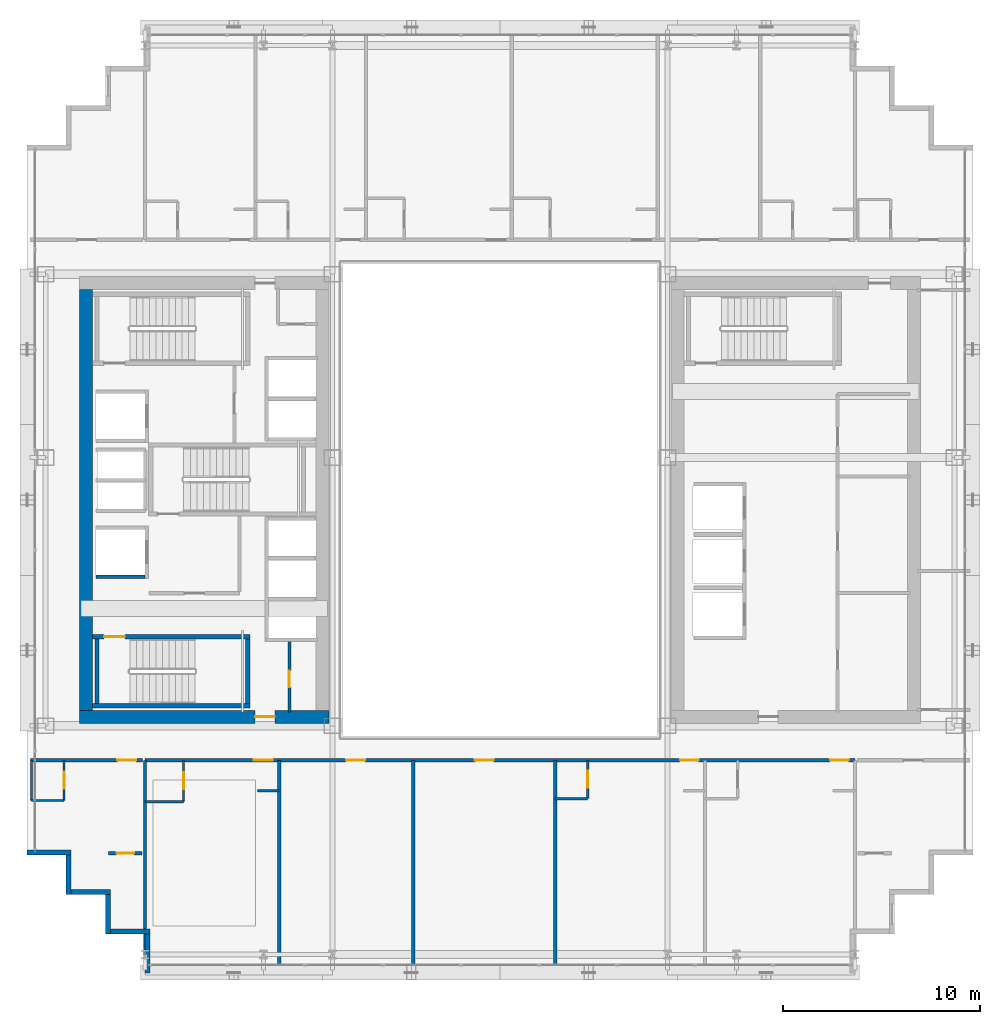
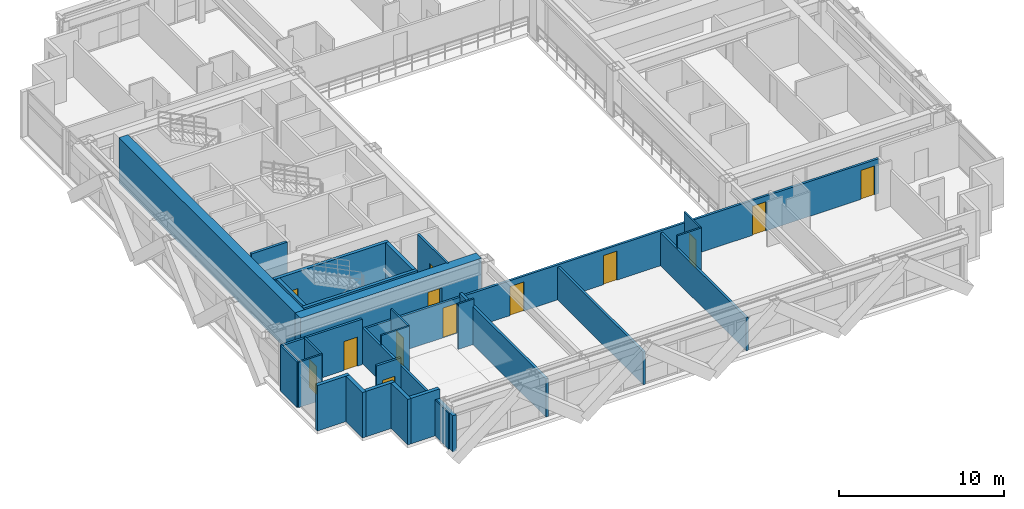
# One storey, part 27 of 35: 29 walls, 13 doors, 13 openings.
"""IFC4 building model written with IfcOpenShell, lengths in metres."""

from ifc_helpers import new_model, si_unit, direction, frame, frame_2d, origin, place, context, subcontext, project, spatial, rectangle, extrude, source, transform, mapped, material, layer, layer_set, type_object, element, fill, save


model = new_model("IFC4")

# Units and contexts
model_context = context("Model", 3, precision=1e-05, world=origin(), true_north=direction((0.0, 1.0)))
body_context = subcontext(model_context, "Body", "Model", "MODEL_VIEW")
ifc_project = project(units=[si_unit("LENGTHUNIT", "METRE"), si_unit("AREAUNIT", "SQUARE_METRE"), si_unit("VOLUMEUNIT", "CUBIC_METRE"), si_unit("PLANEANGLEUNIT", "RADIAN"), si_unit("MASSUNIT", "GRAM", prefix="KILO")], contexts=[model_context])

# Site, building, storey
site_placement = place(None, origin())
site = spatial("IfcSite", under=ifc_project, at=site_placement, CompositionType="ELEMENT")
building_placement = place(site_placement, origin())
building = spatial("IfcBuilding", under=site, at=building_placement, Name="Ocotamira Hotel", CompositionType="ELEMENT")
storey_placement = place(building_placement, frame((0.0, 0.0, 140.39990234375)))
storey = spatial("IfcBuildingStorey", under=building, at=storey_placement, Name="L35", CompositionType="ELEMENT", Elevation=140.39990234375)

# Wall, opening, door
ifc_material_1 = material(Name="Concrete C60/75", Category="concrete")
ifc_layer_1 = layer(ifc_material_1, 0.64990234375)
ifc_layer_set_1 = layer_set([ifc_layer_1], Name="Concrete C60/75")
wall_type_1 = type_object("IfcWallType", Name="WL-CORE-650", PredefinedType="SHEAR", material=ifc_layer_set_1)
wall_1_placement = place(storey_placement, frame((10.675048828125, 15.0, 0.0), z_axis=(0.0, 0.0, 1.0), x_axis=(1.0, 0.0, 0.0)))
wall_1 = element("IfcWall", 1, at=wall_1_placement, inside=storey, type_object=wall_type_1, Name="L35 Shear Core Wall WCORE-S", PredefinedType="SHEAR", context=body_context, shape_type="SweptSolid", body=[
    extrude(rectangle(XDim=12.64990234375, YDim=0.64990234375, at=frame_2d((6.324951171875, 0.0))), origin(), (0.0, 0.0, 1.0), 3.360107421875),
])
opening_1_placement = place(wall_1_placement, frame((8.905029296875, 0.0, 0.0)))
opening_1 = element("IfcOpeningElement", 2, at=opening_1_placement, cuts=wall_1, Name="Opening D-FR2", PredefinedType="OPENING", context=body_context, shape_type="SweptSolid", body=[
    extrude(rectangle(XDim=1.0, YDim=2.14990234375, at=frame_2d((0.5, 1.074951171875))), frame((0.0, 0.3349609375, 0.0), z_axis=(0.0, -1.0, 0.0), x_axis=(1.0, 0.0, 0.0)), (0.0, 0.0, 1.0), 0.669921875),
])
ifc_material_2 = material(Name="Fire-rated acoustic timber-veneer door", Category="wood")
door_type_1 = type_object("IfcDoorType", Name="DR-FIRE-1000", OperationType="NOTDEFINED", PredefinedType="DOOR", material=ifc_material_2)
shared_shape_1 = source(origin(), body_context, "Body", "SweptSolid", [
    extrude(rectangle(XDim=1.0, YDim=2.14990234375, at=frame_2d((0.5, 1.074951171875))), frame((0.0, 0.02490234375, 0.0), z_axis=(0.0, -1.0, 0.0), x_axis=(1.0, 0.0, 0.0)), (0.0, 0.0, 1.0), 0.050048828125),
])
door_1_placement = place(opening_1_placement, origin())
door_1 = element("IfcDoor", 3, at=door_1_placement, inside=storey, type_object=door_type_1, Name="L35 Door ID-L35-WLOB-S-D [ID-L35-WLOB-S-D]", OperationType="SINGLE_SWING_LEFT", OverallHeight=2.14990234375, OverallWidth=1.0, PredefinedType="DOOR", context=body_context, shape_type="MappedRepresentation", body=[
    mapped(shared_shape_1, transform((0.0, 0.0, 0.0), scale=1.0)),
])
fill(opening_1, door_1)

# Walls
wall_2_placement = place(storey_placement, frame((11.0, 15.324951171875, 0.0), z_axis=(0.0, 0.0, 1.0), x_axis=(0.0, 1.0, 0.0)))
element("IfcWall", 4, at=wall_2_placement, inside=storey, type_object=wall_type_1, Name="L35 Shear Core Wall WCORE-W", PredefinedType="SHEAR", context=body_context, shape_type="SweptSolid", body=[
    extrude(rectangle(XDim=21.35009765625, YDim=0.64990234375, at=frame_2d((10.675048828125, 0.0))), origin(), (0.0, 0.0, 1.0), 3.360107421875),
])
ifc_material_3 = material(Name="Precast concrete C45/55", Category="concrete")
ifc_layer_2 = layer(ifc_material_3, 0.25)
ifc_layer_set_2 = layer_set([ifc_layer_2], Name="Precast concrete C45/55")
wall_type_2 = type_object("IfcWallType", Name="WL-EXT-SER-250", PredefinedType="SOLIDWALL", material=ifc_layer_set_2)
wall_3_placement = place(storey_placement, frame((8.0, 8.125, 0.0), z_axis=(0.0, 0.0, 1.0), x_axis=(1.0, 0.0, 0.0)))
element("IfcWall", 5, at=wall_3_placement, inside=storey, type_object=wall_type_2, Name="L35 Serrated Corner Wall 19", PredefinedType="SOLIDWALL", context=body_context, shape_type="SweptSolid", body=[
    extrude(rectangle(XDim=2.25, YDim=0.25, at=frame_2d((1.125, 0.0))), origin(), (0.0, 0.0, 1.0), 3.360107421875),
])
for number, where, z_axis, x_axis, name in (
    (6, (10.125, 8.0, 0.0), (0.0, 0.0, 1.0), (0.0, -1.0, 0.0), "L35 Serrated Corner Wall 20"),
    (7, (10.25, 6.125, 0.0), (0.0, 0.0, 1.0), (1.0, 0.0, 0.0), "L35 Serrated Corner Wall 21"),
    (8, (12.125, 6.0, 0.0), (0.0, 0.0, 1.0), (0.0, -1.0, 0.0), "L35 Serrated Corner Wall 22"),
    (9, (12.25, 4.125, 0.0), (0.0, 0.0, 1.0), (1.0, 0.0, 0.0), "L35 Serrated Corner Wall 23"),
):
    element("IfcWall", number, at=place(storey_placement, frame(where, z_axis=z_axis, x_axis=x_axis)), inside=storey, type_object=wall_type_2, Name=name, PredefinedType="SOLIDWALL", context=body_context, shape_type="SweptSolid", body=[
        extrude(rectangle(XDim=2.0, YDim=0.25, at=frame_2d((1.0, 0.0))), origin(), (0.0, 0.0, 1.0), 3.360107421875),
    ])
wall_4_placement = place(storey_placement, frame((14.125, 4.0, 0.0), z_axis=(0.0, 0.0, 1.0), x_axis=(0.0, -1.0, 0.0)))
element("IfcWall", 10, at=wall_4_placement, inside=storey, type_object=wall_type_2, Name="L35 Serrated Corner Wall 24", PredefinedType="SOLIDWALL", context=body_context, shape_type="SweptSolid", body=[
    extrude(rectangle(XDim=2.0, YDim=0.25, at=frame_2d((1.0, 0.0))), origin(), (0.0, 0.0, 1.0), 2.6669921875),
])

# Wall, opening, door
ifc_material_4 = material(Name="Acoustic double-layer fire gypsum board partition", Category="gypsum")
ifc_layer_3 = layer(ifc_material_4, 0.159912109375)
ifc_layer_set_3 = layer_set([ifc_layer_3], Name="Acoustic double-layer fire gypsum board partition")
wall_type_3 = type_object("IfcWallType", Name="WL-FIRE-160", PredefinedType="PARTITIONING", material=ifc_layer_set_3)
wall_5_placement = place(storey_placement, frame((8.199951171875, 12.800048828125, 0.0), z_axis=(0.0, 0.0, 1.0), x_axis=(1.0, 0.0, 0.0)))
wall_5 = element("IfcWall", 11, at=wall_5_placement, inside=storey, type_object=wall_type_3, Name="L35 Interior Wall PW-L35-Z2E-CSW-CW", PredefinedType="PARTITIONING", context=body_context, shape_type="SweptSolid", body=[
    extrude(rectangle(XDim=5.679931640625, YDim=0.159912109375, at=frame_2d((2.83984375, 0.0))), origin(), (0.0, 0.0, 1.0), 3.360107421875),
])
opening_2_placement = place(wall_5_placement, frame((4.39990234375, 0.0, 0.0)))
opening_2 = element("IfcOpeningElement", 12, at=opening_2_placement, cuts=wall_5, Name="Opening D-GR1", PredefinedType="OPENING", context=body_context, shape_type="SweptSolid", body=[
    extrude(rectangle(XDim=0.93994140625, YDim=2.14990234375, at=frame_2d((0.469970703125, 1.074951171875))), frame((0.0, 0.08984375, 0.0), z_axis=(0.0, -1.0, 0.0), x_axis=(1.0, 0.0, 0.0)), (0.0, 0.0, 1.0), 0.179931640625),
])
ifc_material_5 = material(Name="Solid-core walnut suite entrance fire door", Category="wood")
door_type_2 = type_object("IfcDoorType", Name="DR-GUEST-940", OperationType="NOTDEFINED", PredefinedType="DOOR", material=ifc_material_5)
shared_shape_2 = source(origin(), body_context, "Body", "SweptSolid", [
    extrude(rectangle(XDim=0.93994140625, YDim=2.14990234375, at=frame_2d((0.469970703125, 1.074951171875))), frame((0.0, 0.02490234375, 0.0), z_axis=(0.0, -1.0, 0.0), x_axis=(1.0, 0.0, 0.0)), (0.0, 0.0, 1.0), 0.050048828125),
])
door_2_placement = place(opening_2_placement, origin())
door_2 = element("IfcDoor", 13, at=door_2_placement, inside=storey, type_object=door_type_2, Name="L35 Door ID-L35-Z2E-CSW-CD [ID-L35-Z2E-CSW-CD]", OperationType="SINGLE_SWING_RIGHT", OverallHeight=2.14990234375, OverallWidth=0.93994140625, PredefinedType="DOOR", context=body_context, shape_type="MappedRepresentation", body=[
    mapped(shared_shape_2, transform((0.0, 0.0, 0.0), scale=1.0)),
])
fill(opening_2, door_2)

wall_6_placement = place(storey_placement, frame((12.14990234375, 8.080078125, 0.0), z_axis=(0.0, 0.0, 1.0), x_axis=(1.0, 0.0, 0.0)))
wall_6 = element("IfcWall", 14, at=wall_6_placement, inside=storey, type_object=wall_type_3, Name="L35 Interior Wall PW-L35-Z2E-CSW2-CW", PredefinedType="PARTITIONING", context=body_context, shape_type="SweptSolid", body=[
    extrude(rectangle(XDim=1.7001953125, YDim=0.159912109375, at=frame_2d((0.85009765625, 0.0))), origin(), (0.0, 0.0, 1.0), 3.360107421875),
])
opening_3_placement = place(wall_6_placement, frame((0.409912109375, 0.0, 0.0)))
opening_3 = element("IfcOpeningElement", 15, at=opening_3_placement, cuts=wall_6, Name="Opening D-SV2", PredefinedType="OPENING", context=body_context, shape_type="SweptSolid", body=[
    extrude(rectangle(XDim=0.8798828125, YDim=2.14990234375, at=frame_2d((0.43994140625, 1.074951171875))), frame((0.0, 0.08984375, 0.0), z_axis=(0.0, -1.0, 0.0), x_axis=(1.0, 0.0, 0.0)), (0.0, 0.0, 1.0), 0.179931640625),
])
ifc_material_6 = material(Name="Fire-rated painted steel service door", Category="steel")
door_type_3 = type_object("IfcDoorType", Name="DR-SERV-880", OperationType="NOTDEFINED", PredefinedType="DOOR", material=ifc_material_6)
shared_shape_3 = source(origin(), body_context, "Body", "SweptSolid", [
    extrude(rectangle(XDim=0.8798828125, YDim=2.14990234375, at=frame_2d((0.43994140625, 1.074951171875))), frame((0.0, 0.02490234375, 0.0), z_axis=(0.0, -1.0, 0.0), x_axis=(1.0, 0.0, 0.0)), (0.0, 0.0, 1.0), 0.050048828125),
])
door_3_placement = place(opening_3_placement, origin())
door_3 = element("IfcDoor", 16, at=door_3_placement, inside=storey, type_object=door_type_3, Name="L35 Door ID-L35-Z2E-CSW2-CD [ID-L35-Z2E-CSW2-CD]", OperationType="SINGLE_SWING_LEFT", OverallHeight=2.14990234375, OverallWidth=0.8798828125, PredefinedType="DOOR", context=body_context, shape_type="MappedRepresentation", body=[
    mapped(shared_shape_3, transform((0.0, 0.0, 0.0), scale=1.0)),
])
fill(opening_3, door_3)

# Wall, openings, doors
wall_7_placement = place(storey_placement, frame((14.0, 12.800048828125, 0.0), z_axis=(0.0, 0.0, 1.0), x_axis=(1.0, 0.0, 0.0)))
wall_7 = element("IfcWall", 17, at=wall_7_placement, inside=storey, type_object=wall_type_3, Name="L35 Interior Wall PW-L35-Z2ES-CORRW", PredefinedType="PARTITIONING", context=body_context, shape_type="SweptSolid", body=[
    extrude(rectangle(XDim=36.0, YDim=0.159912109375, at=frame_2d((18.0, 0.0))), origin(), (0.0, 0.0, 1.0), 2.5810546875),
])
opening_4_placement = place(wall_7_placement, frame((5.5, 0.0, 0.0)))
opening_4 = element("IfcOpeningElement", 18, at=opening_4_placement, cuts=wall_7, Name="Opening D-GR2", PredefinedType="OPENING", context=body_context, shape_type="SweptSolid", body=[
    extrude(rectangle(XDim=0.97998046875, YDim=2.199951171875, at=frame_2d((0.489990234375, 1.10009765625))), frame((0.0, 0.08984375, 0.0), z_axis=(0.0, -1.0, 0.0), x_axis=(1.0, 0.0, 0.0)), (0.0, 0.0, 1.0), 0.179931640625),
])
opening_5_placement = place(wall_7_placement, frame((10.199951171875, 0.0, 0.0)))
opening_5 = element("IfcOpeningElement", 19, at=opening_5_placement, cuts=wall_7, Name="Opening D-SV4", PredefinedType="OPENING", context=body_context, shape_type="SweptSolid", body=[
    extrude(rectangle(XDim=0.9599609375, YDim=2.14990234375, at=frame_2d((0.47998046875, 1.074951171875))), frame((0.0, 0.08984375, 0.0), z_axis=(0.0, -1.0, 0.0), x_axis=(1.0, 0.0, 0.0)), (0.0, 0.0, 1.0), 0.179931640625),
])
opening_6_placement = place(wall_7_placement, frame((16.719970703125, 0.0, 0.0)))
opening_6 = element("IfcOpeningElement", 20, at=opening_6_placement, cuts=wall_7, Name="Opening D-SV4", PredefinedType="OPENING", context=body_context, shape_type="SweptSolid", body=[
    extrude(rectangle(XDim=0.9599609375, YDim=2.14990234375, at=frame_2d((0.47998046875, 1.074951171875))), frame((0.0, 0.08984375, 0.0), z_axis=(0.0, -1.0, 0.0), x_axis=(1.0, 0.0, 0.0)), (0.0, 0.0, 1.0), 0.179931640625),
])
opening_7_placement = place(wall_7_placement, frame((27.139892578125, 0.0, 0.0)))
opening_7 = element("IfcOpeningElement", 21, at=opening_7_placement, cuts=wall_7, Name="Opening D-GR1", PredefinedType="OPENING", context=body_context, shape_type="SweptSolid", body=[
    extrude(rectangle(XDim=0.93994140625, YDim=2.14990234375, at=frame_2d((0.469970703125, 1.074951171875))), frame((0.0, 0.08984375, 0.0), z_axis=(0.0, -1.0, 0.0), x_axis=(1.0, 0.0, 0.0)), (0.0, 0.0, 1.0), 0.179931640625),
])
opening_8_placement = place(wall_7_placement, frame((34.739990234375, 0.0, 0.0)))
opening_8 = element("IfcOpeningElement", 22, at=opening_8_placement, cuts=wall_7, Name="Opening D-GR1", PredefinedType="OPENING", context=body_context, shape_type="SweptSolid", body=[
    extrude(rectangle(XDim=0.93994140625, YDim=2.14990234375, at=frame_2d((0.469970703125, 1.074951171875))), frame((0.0, 0.08984375, 0.0), z_axis=(0.0, -1.0, 0.0), x_axis=(1.0, 0.0, 0.0)), (0.0, 0.0, 1.0), 0.179931640625),
])
ifc_material_7 = material(Name="Fire-rated accessible walnut salon door", Category="wood")
door_type_4 = type_object("IfcDoorType", Name="DR-SERV-960", OperationType="NOTDEFINED", PredefinedType="DOOR", material=ifc_material_7)
shared_shape_4 = source(origin(), body_context, "Body", "SweptSolid", [
    extrude(rectangle(XDim=0.9599609375, YDim=2.14990234375, at=frame_2d((0.47998046875, 1.074951171875))), frame((0.0, 0.02490234375, 0.0), z_axis=(0.0, -1.0, 0.0), x_axis=(1.0, 0.0, 0.0)), (0.0, 0.0, 1.0), 0.050048828125),
])
door_4_placement = place(opening_5_placement, origin())
door_4 = element("IfcDoor", 23, at=door_4_placement, inside=storey, type_object=door_type_4, Name="L35 Door ID-L35-Z2ES-AMD2 [ID-L35-Z2ES-AMD2]", OperationType="SINGLE_SWING_RIGHT", OverallHeight=2.14990234375, OverallWidth=0.9599609375, PredefinedType="DOOR", context=body_context, shape_type="MappedRepresentation", body=[
    mapped(shared_shape_4, transform((0.0, 0.0, 0.0), scale=1.0)),
])
fill(opening_5, door_4)
door_5_placement = place(opening_6_placement, origin())
door_5 = element("IfcDoor", 24, at=door_5_placement, inside=storey, type_object=door_type_4, Name="L35 Door ID-L35-Z2ES-AMD3 [ID-L35-Z2ES-AMD3]", OperationType="SINGLE_SWING_LEFT", OverallHeight=2.14990234375, OverallWidth=0.9599609375, PredefinedType="DOOR", context=body_context, shape_type="MappedRepresentation", body=[
    mapped(shared_shape_4, transform((0.0, 0.0, 0.0), scale=1.0)),
])
fill(opening_6, door_5)
door_6_placement = place(opening_7_placement, origin())
door_6 = element("IfcDoor", 25, at=door_6_placement, inside=storey, type_object=door_type_2, Name="L35 Door ID-L35-Z2ES-RMD4 [ID-L35-Z2ES-RMD4]", OperationType="SINGLE_SWING_RIGHT", OverallHeight=2.14990234375, OverallWidth=0.93994140625, PredefinedType="DOOR", context=body_context, shape_type="MappedRepresentation", body=[
    mapped(shared_shape_2, transform((0.0, 0.0, 0.0), scale=1.0)),
])
fill(opening_7, door_6)
door_7_placement = place(opening_8_placement, origin())
door_7 = element("IfcDoor", 26, at=door_7_placement, inside=storey, type_object=door_type_2, Name="L35 Door ID-L35-Z2ES-RMD5 [ID-L35-Z2ES-RMD5]", OperationType="SINGLE_SWING_LEFT", OverallHeight=2.14990234375, OverallWidth=0.93994140625, PredefinedType="DOOR", context=body_context, shape_type="MappedRepresentation", body=[
    mapped(shared_shape_2, transform((0.0, 0.0, 0.0), scale=1.0)),
])
fill(opening_8, door_7)
ifc_material_8 = material(Name="Solid-core walnut grand-suite entrance fire door", Category="wood")
door_type_5 = type_object("IfcDoorType", Name="DR-GUEST-980", OperationType="NOTDEFINED", PredefinedType="DOOR", material=ifc_material_8)
shared_shape_5 = source(origin(), body_context, "Body", "SweptSolid", [
    extrude(rectangle(XDim=0.97998046875, YDim=2.199951171875, at=frame_2d((0.489990234375, 1.10009765625))), frame((0.0, 0.02490234375, 0.0), z_axis=(0.0, -1.0, 0.0), x_axis=(1.0, 0.0, 0.0)), (0.0, 0.0, 1.0), 0.050048828125),
])
door_8_placement = place(opening_4_placement, origin())
door_8 = element("IfcDoor", 27, at=door_8_placement, inside=storey, type_object=door_type_5, Name="L35 Door ID-L35-Z2ES-RMD1 [ID-L35-Z2ES-RMD1]", OperationType="SINGLE_SWING_LEFT", OverallHeight=2.199951171875, OverallWidth=0.97998046875, PredefinedType="DOOR", context=body_context, shape_type="MappedRepresentation", body=[
    mapped(shared_shape_5, transform((0.0, 0.0, 0.0), scale=1.0)),
])
fill(opening_4, door_8)

# Wall, opening, door
ifc_material_9 = material(Name="Moisture-resistant en-suite tile and gypsum partition", Category="gypsum")
ifc_layer_4 = layer(ifc_material_9, 0.1201171875)
ifc_layer_set_4 = layer_set([ifc_layer_4], Name="Moisture-resistant en-suite tile and gypsum partition")
wall_type_4 = type_object("IfcWallType", Name="WL-PART-120", PredefinedType="PARTITIONING", material=ifc_layer_set_4)
wall_8_placement = place(storey_placement, frame((9.889892578125, 10.760009765625, 0.0), z_axis=(0.0, 0.0, 1.0), x_axis=(0.0, 1.0, 0.0)))
wall_8 = element("IfcWall", 28, at=wall_8_placement, inside=storey, type_object=wall_type_4, Name="L35 Interior Wall PW-L35-Z2E-CSW-BE", PredefinedType="PARTITIONING", context=body_context, shape_type="SweptSolid", body=[
    extrude(rectangle(XDim=2.0400390625, YDim=0.1201171875, at=frame_2d((1.02001953125, 0.0))), origin(), (0.0, 0.0, 1.0), 3.360107421875),
])
opening_9_placement = place(wall_8_placement, frame((0.590087890625, 0.0, 0.0)))
opening_9 = element("IfcOpeningElement", 29, at=opening_9_placement, cuts=wall_8, Name="Opening D-BA1", PredefinedType="OPENING", context=body_context, shape_type="SweptSolid", body=[
    extrude(rectangle(XDim=0.860107421875, YDim=2.10009765625, at=frame_2d((0.43017578125, 1.050048828125))), frame((0.0, 0.070068359375, 0.0), z_axis=(0.0, -1.0, 0.0), x_axis=(1.0, 0.0, 0.0)), (0.0, 0.0, 1.0), 0.14013671875),
])
ifc_material_10 = material(Name="Moisture-sealed en-suite timber door", Category="wood")
door_type_6 = type_object("IfcDoorType", Name="DR-BATH-860", OperationType="NOTDEFINED", PredefinedType="DOOR", material=ifc_material_10)
shared_shape_6 = source(origin(), body_context, "Body", "SweptSolid", [
    extrude(rectangle(XDim=0.860107421875, YDim=2.10009765625, at=frame_2d((0.43017578125, 1.050048828125))), frame((0.0, 0.02490234375, 0.0), z_axis=(0.0, -1.0, 0.0), x_axis=(1.0, 0.0, 0.0)), (0.0, 0.0, 1.0), 0.050048828125),
])
door_9_placement = place(opening_9_placement, origin())
door_9 = element("IfcDoor", 30, at=door_9_placement, inside=storey, type_object=door_type_6, Name="L35 Door ID-L35-Z2E-CSW-BD [ID-L35-Z2E-CSW-BD]", OperationType="SINGLE_SWING_LEFT", OverallHeight=2.10009765625, OverallWidth=0.860107421875, PredefinedType="DOOR", context=body_context, shape_type="MappedRepresentation", body=[
    mapped(shared_shape_6, transform((0.0, 0.0, 0.0), scale=1.0)),
])
fill(opening_9, door_9)

# Walls
wall_9_placement = place(storey_placement, frame((8.239990234375, 10.760009765625, 0.0), z_axis=(0.0, 0.0, 1.0), x_axis=(0.0, 1.0, 0.0)))
element("IfcWall", 31, at=wall_9_placement, inside=storey, type_object=wall_type_4, Name="L35 Interior Wall PW-L35-Z2E-CSW-BW", PredefinedType="PARTITIONING", context=body_context, shape_type="SweptSolid", body=[
    extrude(rectangle(XDim=2.0400390625, YDim=0.1201171875, at=frame_2d((1.02001953125, 0.0))), origin(), (0.0, 0.0, 1.0), 3.360107421875),
])
wall_10_placement = place(storey_placement, frame((8.239990234375, 10.760009765625, 0.0), z_axis=(0.0, 0.0, 1.0), x_axis=(1.0, 0.0, 0.0)))
element("IfcWall", 32, at=wall_10_placement, inside=storey, type_object=wall_type_4, Name="L35 Interior Wall PW-L35-Z2E-CSW-BH", PredefinedType="PARTITIONING", context=body_context, shape_type="SweptSolid", body=[
    extrude(rectangle(XDim=1.64990234375, YDim=0.1201171875, at=frame_2d((0.824951171875, 0.0))), origin(), (0.0, 0.0, 1.0), 3.360107421875),
])

# Wall, opening, door
wall_11_placement = place(storey_placement, frame((15.949951171875, 10.699951171875, 0.0), z_axis=(0.0, 0.0, 1.0), x_axis=(0.0, 1.0, 0.0)))
wall_11 = element("IfcWall", 33, at=wall_11_placement, inside=storey, type_object=wall_type_4, Name="L35 Interior Wall PW-L35-Z2ES-BAE1", PredefinedType="PARTITIONING", context=body_context, shape_type="SweptSolid", body=[
    extrude(rectangle(XDim=2.10009765625, YDim=0.1201171875, at=frame_2d((1.050048828125, 0.0))), origin(), (0.0, 0.0, 1.0), 3.360107421875),
])
opening_10_placement = place(wall_11_placement, frame((0.6201171875, 0.0, 0.0)))
opening_10 = element("IfcOpeningElement", 34, at=opening_10_placement, cuts=wall_11, Name="Opening D-BA1", PredefinedType="OPENING", context=body_context, shape_type="SweptSolid", body=[
    extrude(rectangle(XDim=0.860107421875, YDim=2.10009765625, at=frame_2d((0.43017578125, 1.050048828125))), frame((0.0, 0.070068359375, 0.0), z_axis=(0.0, -1.0, 0.0), x_axis=(1.0, 0.0, 0.0)), (0.0, 0.0, 1.0), 0.14013671875),
])
door_10_placement = place(opening_10_placement, origin())
door_10 = element("IfcDoor", 35, at=door_10_placement, inside=storey, type_object=door_type_6, Name="L35 Door ID-L35-Z2ES-BAD1 [ID-L35-Z2ES-BAD1]", OperationType="SINGLE_SWING_RIGHT", OverallHeight=2.10009765625, OverallWidth=0.860107421875, PredefinedType="DOOR", context=body_context, shape_type="MappedRepresentation", body=[
    mapped(shared_shape_6, transform((0.0, 0.0, 0.0), scale=1.0)),
])
fill(opening_10, door_10)

# Walls
wall_12_placement = place(storey_placement, frame((14.0, 10.699951171875, 0.0), z_axis=(0.0, 0.0, 1.0), x_axis=(1.0, 0.0, 0.0)))
element("IfcWall", 36, at=wall_12_placement, inside=storey, type_object=wall_type_4, Name="L35 Interior Wall PW-L35-Z2ES-BAS1", PredefinedType="PARTITIONING", context=body_context, shape_type="SweptSolid", body=[
    extrude(rectangle(XDim=1.949951171875, YDim=0.1201171875, at=frame_2d((0.97509765625, 0.0))), origin(), (0.0, 0.0, 1.0), 3.360107421875),
])
wall_13_placement = place(storey_placement, frame((19.699951171875, 11.25, 0.0), z_axis=(0.0, 0.0, 1.0), x_axis=(1.0, 0.0, 0.0)))
element("IfcWall", 37, at=wall_13_placement, inside=storey, type_object=wall_type_4, Name="L35 Interior Wall PW-L35-Z2ES-DRN1", PredefinedType="PARTITIONING", context=body_context, shape_type="SweptSolid", body=[
    extrude(rectangle(XDim=1.10009765625, YDim=0.1201171875, at=frame_2d((0.550048828125, 0.0))), origin(), (0.0, 0.0, 1.0), 3.360107421875),
])

# Wall, opening, door
wall_14_placement = place(storey_placement, frame((36.449951171875, 10.85009765625, 0.0), z_axis=(0.0, 0.0, 1.0), x_axis=(0.0, 1.0, 0.0)))
wall_14 = element("IfcWall", 38, at=wall_14_placement, inside=storey, type_object=wall_type_4, Name="L35 Interior Wall PW-L35-Z2ES-BAE4", PredefinedType="PARTITIONING", context=body_context, shape_type="SweptSolid", body=[
    extrude(rectangle(XDim=1.949951171875, YDim=0.1201171875, at=frame_2d((0.97509765625, 0.0))), origin(), (0.0, 0.0, 1.0), 3.360107421875),
])
opening_11_placement = place(wall_14_placement, frame((0.544921875, 0.0, 0.0)))
opening_11 = element("IfcOpeningElement", 39, at=opening_11_placement, cuts=wall_14, Name="Opening D-BA1", PredefinedType="OPENING", context=body_context, shape_type="SweptSolid", body=[
    extrude(rectangle(XDim=0.860107421875, YDim=2.10009765625, at=frame_2d((0.43017578125, 1.050048828125))), frame((0.0, 0.070068359375, 0.0), z_axis=(0.0, -1.0, 0.0), x_axis=(1.0, 0.0, 0.0)), (0.0, 0.0, 1.0), 0.14013671875),
])
door_11_placement = place(opening_11_placement, origin())
door_11 = element("IfcDoor", 40, at=door_11_placement, inside=storey, type_object=door_type_6, Name="L35 Door ID-L35-Z2ES-BAD4 [ID-L35-Z2ES-BAD4]", OperationType="SINGLE_SWING_LEFT", OverallHeight=2.10009765625, OverallWidth=0.860107421875, PredefinedType="DOOR", context=body_context, shape_type="MappedRepresentation", body=[
    mapped(shared_shape_6, transform((0.0, 0.0, 0.0), scale=1.0)),
])
fill(opening_11, door_11)

# Wall
wall_15_placement = place(storey_placement, frame((34.800048828125, 10.85009765625, 0.0), z_axis=(0.0, 0.0, 1.0), x_axis=(1.0, 0.0, 0.0)))
element("IfcWall", 41, at=wall_15_placement, inside=storey, type_object=wall_type_4, Name="L35 Interior Wall PW-L35-Z2ES-BAS4", PredefinedType="PARTITIONING", context=body_context, shape_type="SweptSolid", body=[
    extrude(rectangle(XDim=1.64990234375, YDim=0.1201171875, at=frame_2d((0.824951171875, 0.0))), origin(), (0.0, 0.0, 1.0), 3.360107421875),
])

# Wall, opening, door
ifc_material_11 = material(Name="Acoustic hospitality gypsum board partition", Category="gypsum")
ifc_layer_5 = layer(ifc_material_11, 0.14208984375)
ifc_layer_set_5 = layer_set([ifc_layer_5], Name="Acoustic hospitality gypsum board partition")
wall_type_5 = type_object("IfcWallType", Name="WL-PART-142", PredefinedType="PARTITIONING", material=ifc_layer_set_5)
wall_16_placement = place(storey_placement, frame((21.320068359375, 15.25, 0.0), z_axis=(0.0, 0.0, 1.0), x_axis=(0.0, 1.0, 0.0)))
wall_16 = element("IfcWall", 42, at=wall_16_placement, inside=storey, type_object=wall_type_5, Name="L35 Interior Wall PW-L35-WC-SE-W", PredefinedType="PARTITIONING", context=body_context, shape_type="SweptSolid", body=[
    extrude(rectangle(XDim=3.590087890625, YDim=0.14208984375, at=frame_2d((1.794921875, 0.0))), origin(), (0.0, 0.0, 1.0), 3.360107421875),
])
opening_12_placement = place(wall_16_placement, frame((1.25, 0.0, 0.0)))
opening_12 = element("IfcOpeningElement", 43, at=opening_12_placement, cuts=wall_16, Name="Opening D-SV1", PredefinedType="OPENING", context=body_context, shape_type="SweptSolid", body=[
    extrude(rectangle(XDim=0.840087890625, YDim=2.10009765625, at=frame_2d((0.419921875, 1.050048828125))), frame((0.0, 0.0810546875, 0.0), z_axis=(0.0, -1.0, 0.0), x_axis=(1.0, 0.0, 0.0)), (0.0, 0.0, 1.0), 0.162109375),
])
door_type_7 = type_object("IfcDoorType", Name="DR-SERV-840", OperationType="NOTDEFINED", PredefinedType="DOOR", material=ifc_material_6)
shared_shape_7 = source(origin(), body_context, "Body", "SweptSolid", [
    extrude(rectangle(XDim=0.840087890625, YDim=2.10009765625, at=frame_2d((0.419921875, 1.050048828125))), frame((0.0, 0.02490234375, 0.0), z_axis=(0.0, -1.0, 0.0), x_axis=(1.0, 0.0, 0.0)), (0.0, 0.0, 1.0), 0.050048828125),
])
door_12_placement = place(opening_12_placement, origin())
door_12 = element("IfcDoor", 44, at=door_12_placement, inside=storey, type_object=door_type_7, Name="L35 Door ID-L35-WC-SE-D [ID-L35-WC-SE-D]", OperationType="SINGLE_SWING_RIGHT", OverallHeight=2.10009765625, OverallWidth=0.840087890625, PredefinedType="DOOR", context=body_context, shape_type="MappedRepresentation", body=[
    mapped(shared_shape_7, transform((0.0, 0.0, 0.0), scale=1.0)),
])
fill(opening_12, door_12)

# Walls
ifc_material_12 = material(Name="Acoustic double-stud hospitality gypsum partition", Category="gypsum")
ifc_layer_6 = layer(ifc_material_12, 0.159912109375)
ifc_layer_set_6 = layer_set([ifc_layer_6], Name="Acoustic double-stud hospitality gypsum partition")
wall_type_6 = type_object("IfcWallType", Name="WL-PART-160", PredefinedType="PARTITIONING", material=ifc_layer_set_6)
wall_17_placement = place(storey_placement, frame((14.0, 2.360107421875, 0.0), z_axis=(0.0, 0.0, 1.0), x_axis=(0.0, 1.0, 0.0)))
element("IfcWall", 45, at=wall_17_placement, inside=storey, type_object=wall_type_6, Name="L35 Interior Wall PW-L35-Z2ES-PW0", PredefinedType="PARTITIONING", context=body_context, shape_type="SweptSolid", body=[
    extrude(rectangle(XDim=10.43994140625, YDim=0.159912109375, at=frame_2d((5.219970703125, 0.0))), origin(), (0.0, 0.0, 1.0), 2.6669921875),
])
for number, where, z_axis, x_axis, name in (
    (46, (27.60009765625, 2.360107421875, 0.0), (0.0, 0.0, 1.0), (0.0, 1.0, 0.0), "L35 Interior Wall PW-L35-Z2ES-PW2"),
    (47, (34.800048828125, 2.360107421875, 0.0), (0.0, 0.0, 1.0), (0.0, 1.0, 0.0), "L35 Interior Wall PW-L35-Z2ES-PW3"),
):
    element("IfcWall", number, at=place(storey_placement, frame(where, z_axis=z_axis, x_axis=x_axis)), inside=storey, type_object=wall_type_6, Name=name, PredefinedType="PARTITIONING", context=body_context, shape_type="SweptSolid", body=[
        extrude(rectangle(XDim=10.43994140625, YDim=0.159912109375, at=frame_2d((5.219970703125, 0.0))), origin(), (0.0, 0.0, 1.0), 2.43310546875),
    ])
ifc_material_13 = material(Name="Double-stud suite party gypsum partition", Category="gypsum")
ifc_layer_7 = layer(ifc_material_13, 0.175048828125)
ifc_layer_set_7 = layer_set([ifc_layer_7], Name="Double-stud suite party gypsum partition")
wall_type_7 = type_object("IfcWallType", Name="WL-PART-175", PredefinedType="PARTITIONING", material=ifc_layer_set_7)
wall_18_placement = place(storey_placement, frame((20.800048828125, 2.360107421875, 0.0), z_axis=(0.0, 0.0, 1.0), x_axis=(0.0, 1.0, 0.0)))
element("IfcWall", 48, at=wall_18_placement, inside=storey, type_object=wall_type_7, Name="L35 Interior Wall PW-L35-Z2ES-PW1", PredefinedType="PARTITIONING", context=body_context, shape_type="SweptSolid", body=[
    extrude(rectangle(XDim=10.43994140625, YDim=0.175048828125, at=frame_2d((5.219970703125, 0.0))), origin(), (0.0, 0.0, 1.0), 2.822998046875),
])
ifc_material_14 = material(Name="Fire-rated gypsum shaftliner board assembly", Category="gypsum")
ifc_layer_8 = layer(ifc_material_14, 0.179931640625)
ifc_layer_set_8 = layer_set([ifc_layer_8], Name="Fire-rated gypsum shaftliner board assembly")
wall_type_8 = type_object("IfcWallType", Name="WL-SHAFT-180", PredefinedType="SOLIDWALL", material=ifc_layer_set_8)
wall_19_placement = place(storey_placement, frame((11.5, 22.110107421875, 0.0), z_axis=(0.0, 0.0, 1.0), x_axis=(1.0, 0.0, 0.0)))
element("IfcWall", 49, at=wall_19_placement, inside=storey, type_object=wall_type_8, Name="L35 Interior Wall PW-L35-LFW-LF-FSAE1-S", PredefinedType="SOLIDWALL", context=body_context, shape_type="SweptSolid", body=[
    extrude(rectangle(XDim=2.5, YDim=0.179931640625, at=frame_2d((1.25, 0.0))), origin(), (0.0, 0.0, 1.0), 3.360107421875),
])
ifc_material_15 = material(Name="Concrete C50/60", Category="concrete")
ifc_layer_9 = layer(ifc_material_15, 0.219970703125)
ifc_layer_set_9 = layer_set([ifc_layer_9], Name="Concrete C50/60")
wall_type_9 = type_object("IfcWallType", Name="WL-STAIR-220", PredefinedType="SHEAR", material=ifc_layer_set_9)
wall_20_placement = place(storey_placement, frame((11.324951171875, 15.56005859375, 0.0), z_axis=(0.0, 0.0, 1.0), x_axis=(1.0, 0.0, 0.0)))
element("IfcWall", 50, at=wall_20_placement, inside=storey, type_object=wall_type_9, Name="L35 Stair Shaft Structural Wall ST-1-S", PredefinedType="SHEAR", context=body_context, shape_type="SweptSolid", body=[
    extrude(rectangle(XDim=7.985107421875, YDim=0.219970703125, at=frame_2d((3.99267578125, 0.0))), origin(), (0.0, 0.0, 1.0), 3.400146484375),
])

# Wall, opening, door
wall_21_placement = place(storey_placement, frame((11.324951171875, 19.06005859375, 0.0), z_axis=(0.0, 0.0, 1.0), x_axis=(1.0, 0.0, 0.0)))
wall_21 = element("IfcWall", 51, at=wall_21_placement, inside=storey, type_object=wall_type_9, Name="L35 Stair Shaft Structural Wall ST-1-N", PredefinedType="SHEAR", context=body_context, shape_type="SweptSolid", body=[
    extrude(rectangle(XDim=7.985107421875, YDim=0.219970703125, at=frame_2d((3.99267578125, 0.0))), origin(), (0.0, 0.0, 1.0), 3.400146484375),
])
opening_13_placement = place(wall_21_placement, frame((0.594970703125, 0.0, 0.0)))
opening_13 = element("IfcOpeningElement", 52, at=opening_13_placement, cuts=wall_21, Name="Opening D-ST2", PredefinedType="OPENING", context=body_context, shape_type="SweptSolid", body=[
    extrude(rectangle(XDim=1.050048828125, YDim=2.14990234375, at=frame_2d((0.52490234375, 1.074951171875))), frame((0.0, 0.1201171875, 0.0), z_axis=(0.0, -1.0, 0.0), x_axis=(1.0, 0.0, 0.0)), (0.0, 0.0, 1.0), 0.239990234375),
])
ifc_material_16 = material(Name="Insulated painted hollow-metal fire exit door", Category="steel")
door_type_8 = type_object("IfcDoorType", Name="DR-STAIR-1050", OperationType="NOTDEFINED", PredefinedType="DOOR", material=ifc_material_16)
shared_shape_8 = source(origin(), body_context, "Body", "SweptSolid", [
    extrude(rectangle(XDim=1.050048828125, YDim=2.14990234375, at=frame_2d((0.52490234375, 1.074951171875))), frame((0.0, 0.02490234375, 0.0), z_axis=(0.0, -1.0, 0.0), x_axis=(1.0, 0.0, 0.0)), (0.0, 0.0, 1.0), 0.050048828125),
])
door_13_placement = place(opening_13_placement, origin())
door_13 = element("IfcDoor", 53, at=door_13_placement, inside=storey, type_object=door_type_8, Name="L35 Door ID-L35-STD-ST-1 [ID-L35-STD-ST-1]", OperationType="SINGLE_SWING_RIGHT", OverallHeight=2.14990234375, OverallWidth=1.050048828125, PredefinedType="DOOR", context=body_context, shape_type="MappedRepresentation", body=[
    mapped(shared_shape_8, transform((0.0, 0.0, 0.0), scale=1.0)),
])
fill(opening_13, door_13)

# Walls
for number, where, z_axis, x_axis, name in (
    (54, (11.56005859375, 15.669921875, 0.0), (0.0, 0.0, 1.0), (0.0, 1.0, 0.0), "L35 Stair Shaft Structural Wall ST-1-W"),
    (55, (19.199951171875, 15.669921875, 0.0), (0.0, 0.0, 1.0), (0.0, 1.0, 0.0), "L35 Stair Shaft Structural Wall ST-1-E"),
):
    element("IfcWall", number, at=place(storey_placement, frame(where, z_axis=z_axis, x_axis=x_axis)), inside=storey, type_object=wall_type_9, Name=name, PredefinedType="SHEAR", context=body_context, shape_type="SweptSolid", body=[
        extrude(rectangle(XDim=3.280029296875, YDim=0.219970703125, at=frame_2d((1.64013671875, 0.0))), origin(), (0.0, 0.0, 1.0), 3.400146484375),
    ])

save(model, "model.ifc")
